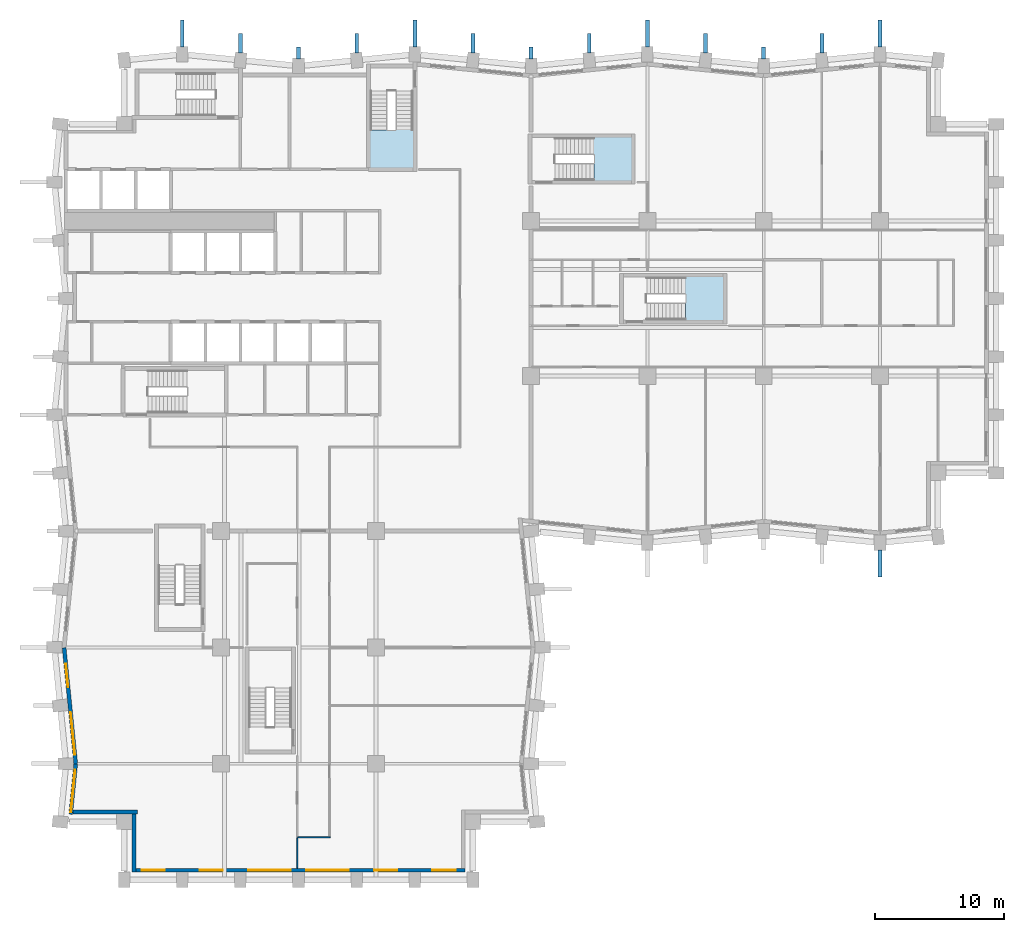
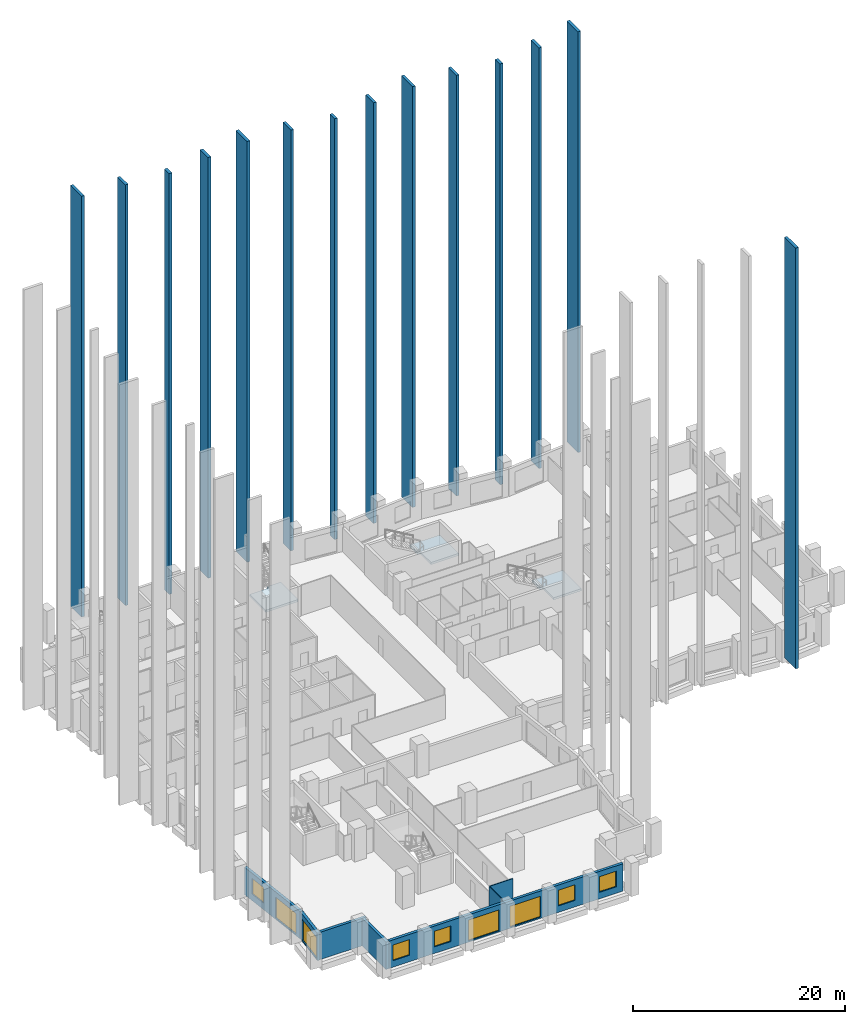
# One storey, part 3 of 12: 14 plates, 9 windows, 7 walls, 3 slabs, 9 openings, 3 elements without a shape of their own.
"""IFC4 building model written with IfcOpenShell, lengths in metres."""

from ifc_helpers import new_model, si_unit, direction, frame, frame_2d, origin, place, context, subcontext, project, spatial, polyline, rectangle, outline, extrude, material, layer, layer_set, type_object, element, fill, aggregate, save


model = new_model("IFC4")

# Units and contexts
model_context = context("Model", 3, precision=1e-05, world=origin(), true_north=direction((0.0, 1.0)))
body_context = subcontext(model_context, "Body", "Model", "MODEL_VIEW")
ifc_project = project(units=[si_unit("LENGTHUNIT", "METRE"), si_unit("AREAUNIT", "SQUARE_METRE"), si_unit("VOLUMEUNIT", "CUBIC_METRE"), si_unit("PLANEANGLEUNIT", "RADIAN"), si_unit("MASSUNIT", "GRAM", prefix="KILO")], contexts=[model_context])

# Site, building, storey
site_placement = place(None, origin())
site = spatial("IfcSite", under=ifc_project, at=site_placement, CompositionType="ELEMENT")
building_placement = place(site_placement, origin())
building = spatial("IfcBuilding", under=site, at=building_placement, Name="Brondeck Convention Tower", CompositionType="ELEMENT")
storey_placement = place(building_placement, frame((0.0, 0.0, 88.5)))
storey = spatial("IfcBuildingStorey", under=building, at=storey_placement, Name="L20", CompositionType="ELEMENT", Elevation=88.5)

# Stair, slab
ifc_material_1 = material(Name="Precast concrete C50/60", Category="concrete")
stair_type = type_object("IfcStairType", Name="Core stair 22 risers 172.73 mm riser 300 mm going 1350 wide", PredefinedType="HALF_TURN_STAIR", material=ifc_material_1)
stair_1_placement = place(storey_placement, origin())
stair_1 = element("IfcStair", 1, at=stair_1_placement, inside=storey, type_object=stair_type, Name="ST-2 L20 stair", PredefinedType="HALF_TURN_STAIR")
ifc_layer_1 = layer(ifc_material_1, 0.25)
ifc_layer_set_1 = layer_set([ifc_layer_1], Name="Core stair landing 250 Precast concrete C50/60")
slab_type = type_object("IfcSlabType", Name="Core stair landing 250 Precast concrete C50/60", PredefinedType="LANDING", material=ifc_layer_set_1)
slab_1_placement = place(storey_placement, frame((0.0, 0.0, 1.64990234375)))
slab_1 = element("IfcSlab", 2, at=slab_1_placement, type_object=slab_type, Name="ST-2 landing 1", PredefinedType="LANDING", context=body_context, shape_type="SweptSolid", body=[
    extrude(outline(polyline([(23.429931640625, 58.052001953125), (24.89990234375, 58.052001953125), (24.89990234375, 58.050048828125), (25.5, 58.050048828125), (25.5, 58.35009765625), (26.969970703125, 58.35009765625), (26.969970703125, 55.030029296875), (23.429931640625, 55.030029296875), (23.429931640625, 58.052001953125)])), origin(), (0.0, 0.0, 1.0), 0.25),
])
aggregate(stair_1, [slab_1])

stair_2_placement = place(storey_placement, origin())
stair_2 = element("IfcStair", 3, at=stair_2_placement, inside=storey, type_object=stair_type, Name="ST-AE L20 stair", PredefinedType="HALF_TURN_STAIR")
slab_2_placement = place(storey_placement, frame((0.0, 0.0, 1.64990234375)))
slab_2 = element("IfcSlab", 4, at=slab_2_placement, type_object=slab_type, Name="ST-AE landing 1", PredefinedType="LANDING", context=body_context, shape_type="SweptSolid", body=[
    extrude(outline(polyline([(40.847900390625, 55.5), (40.85009765625, 55.5), (40.85009765625, 56.10009765625), (40.550048828125, 56.10009765625), (40.550048828125, 57.570068359375), (43.8701171875, 57.570068359375), (43.8701171875, 54.030029296875), (40.847900390625, 54.030029296875), (40.847900390625, 55.5)])), origin(), (0.0, 0.0, 1.0), 0.25),
])
aggregate(stair_2, [slab_2])

stair_3_placement = place(storey_placement, origin())
stair_3 = element("IfcStair", 5, at=stair_3_placement, inside=storey, type_object=stair_type, Name="ST-AF L20 stair", PredefinedType="HALF_TURN_STAIR")
slab_3_placement = place(storey_placement, frame((0.0, 0.0, 1.64990234375)))
slab_3 = element("IfcSlab", 6, at=slab_3_placement, type_object=slab_type, Name="ST-AF landing 1", PredefinedType="LANDING", context=body_context, shape_type="SweptSolid", body=[
    extrude(outline(polyline([(47.947998046875, 44.699951171875), (47.949951171875, 44.699951171875), (47.949951171875, 45.300048828125), (47.64990234375, 45.300048828125), (47.64990234375, 46.77001953125), (50.969970703125, 46.77001953125), (50.969970703125, 43.22998046875), (47.947998046875, 43.22998046875), (47.947998046875, 44.699951171875)])), origin(), (0.0, 0.0, 1.0), 0.25),
])
aggregate(stair_3, [slab_3])

# Plates
ifc_layer_2 = layer(ifc_material_1, 0.300048828125)
ifc_layer_set_2 = layer_set([ifc_layer_2], Name="Facade fin FN1 300 x 900 Precast concrete C50/60")
plate_type_1 = type_object("IfcPlateType", Name="Facade fin FN1 300 x 900 Precast concrete C50/60", PredefinedType="USERDEFINED", material=ifc_layer_set_2)
plate_1_placement = place(storey_placement, frame((0.0, 0.0, 0.5)))
element("IfcPlate", 7, at=plate_1_placement, inside=storey, type_object=plate_type_1, Name="ENV-FN-A-N-Z2-04", ObjectType="FIN", PredefinedType="USERDEFINED", context=body_context, shape_type="SweptSolid", body=[
    extrude(outline(polyline([(17.85009765625, 64.4599609375), (17.85009765625, 63.56005859375), (18.14990234375, 63.56005859375), (18.14990234375, 64.4599609375), (17.85009765625, 64.4599609375)])), origin(), (0.0, 0.0, 1.0), 48.39990234375),
])
plate_2_placement = place(storey_placement, frame((0.0, 0.0, 0.5)))
element("IfcPlate", 8, at=plate_2_placement, inside=storey, type_object=plate_type_1, Name="ENV-FN-A-N-Z2-08", ObjectType="FIN", PredefinedType="USERDEFINED", context=body_context, shape_type="SweptSolid", body=[
    extrude(outline(polyline([(35.85009765625, 64.4599609375), (35.85009765625, 63.56005859375), (36.14990234375, 63.56005859375), (36.14990234375, 64.4599609375), (35.85009765625, 64.4599609375)])), origin(), (0.0, 0.0, 1.0), 48.39990234375),
])
plate_3_placement = place(storey_placement, frame((0.0, 0.0, 0.5)))
element("IfcPlate", 9, at=plate_3_placement, inside=storey, type_object=plate_type_1, Name="ENV-FN-A-N-Z2-12", ObjectType="FIN", PredefinedType="USERDEFINED", context=body_context, shape_type="SweptSolid", body=[
    extrude(outline(polyline([(53.85009765625, 64.4599609375), (53.85009765625, 63.56005859375), (54.14990234375, 63.56005859375), (54.14990234375, 64.4599609375), (53.85009765625, 64.4599609375)])), origin(), (0.0, 0.0, 1.0), 48.39990234375),
])
ifc_layer_3 = layer(ifc_material_1, 0.300048828125)
ifc_layer_set_3 = layer_set([ifc_layer_3], Name="Facade fin FN2 300 x 1500 Precast concrete C50/60")
plate_type_2 = type_object("IfcPlateType", Name="Facade fin FN2 300 x 1500 Precast concrete C50/60", PredefinedType="USERDEFINED", material=ifc_layer_set_3)
plate_4_placement = place(storey_placement, frame((0.0, 0.0, 0.5)))
element("IfcPlate", 10, at=plate_4_placement, inside=storey, type_object=plate_type_2, Name="ENV-FN-A-N-Z2-03", ObjectType="FIN", PredefinedType="USERDEFINED", context=body_context, shape_type="SweptSolid", body=[
    extrude(outline(polyline([(13.35009765625, 65.510009765625), (13.35009765625, 64.010009765625), (13.64990234375, 64.010009765625), (13.64990234375, 65.510009765625), (13.35009765625, 65.510009765625)])), origin(), (0.0, 0.0, 1.0), 48.39990234375),
])
plate_5_placement = place(storey_placement, frame((0.0, 0.0, 0.5)))
element("IfcPlate", 11, at=plate_5_placement, inside=storey, type_object=plate_type_2, Name="ENV-FN-A-N-Z2-05", ObjectType="FIN", PredefinedType="USERDEFINED", context=body_context, shape_type="SweptSolid", body=[
    extrude(outline(polyline([(22.35009765625, 65.510009765625), (22.35009765625, 64.010009765625), (22.64990234375, 64.010009765625), (22.64990234375, 65.510009765625), (22.35009765625, 65.510009765625)])), origin(), (0.0, 0.0, 1.0), 48.39990234375),
])
plate_6_placement = place(storey_placement, frame((0.0, 0.0, 0.5)))
element("IfcPlate", 12, at=plate_6_placement, inside=storey, type_object=plate_type_2, Name="ENV-FN-A-N-Z2-07", ObjectType="FIN", PredefinedType="USERDEFINED", context=body_context, shape_type="SweptSolid", body=[
    extrude(outline(polyline([(31.35009765625, 65.510009765625), (31.35009765625, 64.010009765625), (31.64990234375, 64.010009765625), (31.64990234375, 65.510009765625), (31.35009765625, 65.510009765625)])), origin(), (0.0, 0.0, 1.0), 48.39990234375),
])
plate_7_placement = place(storey_placement, frame((0.0, 0.0, 0.5)))
element("IfcPlate", 13, at=plate_7_placement, inside=storey, type_object=plate_type_2, Name="ENV-FN-A-N-Z2-09", ObjectType="FIN", PredefinedType="USERDEFINED", context=body_context, shape_type="SweptSolid", body=[
    extrude(outline(polyline([(40.35009765625, 65.510009765625), (40.35009765625, 64.010009765625), (40.64990234375, 64.010009765625), (40.64990234375, 65.510009765625), (40.35009765625, 65.510009765625)])), origin(), (0.0, 0.0, 1.0), 48.39990234375),
])
plate_8_placement = place(storey_placement, frame((0.0, 0.0, 0.5)))
element("IfcPlate", 14, at=plate_8_placement, inside=storey, type_object=plate_type_2, Name="ENV-FN-A-N-Z2-11", ObjectType="FIN", PredefinedType="USERDEFINED", context=body_context, shape_type="SweptSolid", body=[
    extrude(outline(polyline([(49.35009765625, 65.510009765625), (49.35009765625, 64.010009765625), (49.64990234375, 64.010009765625), (49.64990234375, 65.510009765625), (49.35009765625, 65.510009765625)])), origin(), (0.0, 0.0, 1.0), 48.39990234375),
])
plate_9_placement = place(storey_placement, frame((0.0, 0.0, 0.5)))
element("IfcPlate", 15, at=plate_9_placement, inside=storey, type_object=plate_type_2, Name="ENV-FN-A-N-Z2-13", ObjectType="FIN", PredefinedType="USERDEFINED", context=body_context, shape_type="SweptSolid", body=[
    extrude(outline(polyline([(58.35009765625, 65.510009765625), (58.35009765625, 64.010009765625), (58.64990234375, 64.010009765625), (58.64990234375, 65.510009765625), (58.35009765625, 65.510009765625)])), origin(), (0.0, 0.0, 1.0), 48.39990234375),
])
ifc_layer_4 = layer(ifc_material_1, 0.300048828125)
ifc_layer_set_4 = layer_set([ifc_layer_4], Name="Facade fin FN3 300 x 2100 Precast concrete C50/60")
plate_type_3 = type_object("IfcPlateType", Name="Facade fin FN3 300 x 2100 Precast concrete C50/60", PredefinedType="USERDEFINED", material=ifc_layer_set_4)
plate_10_placement = place(storey_placement, frame((0.0, 0.0, 0.5)))
element("IfcPlate", 16, at=plate_10_placement, inside=storey, type_object=plate_type_3, Name="ENV-FN-A-S-Z2-06", ObjectType="FIN", PredefinedType="USERDEFINED", context=body_context, shape_type="SweptSolid", body=[
    extrude(outline(polyline([(63.14990234375, 23.43994140625), (63.14990234375, 25.5400390625), (62.85009765625, 25.5400390625), (62.85009765625, 23.43994140625), (63.14990234375, 23.43994140625)])), origin(), (0.0, 0.0, 1.0), 48.39990234375),
])
plate_11_placement = place(storey_placement, frame((0.0, 0.0, 0.5)))
element("IfcPlate", 17, at=plate_11_placement, inside=storey, type_object=plate_type_3, Name="ENV-FN-A-N-Z2-02", ObjectType="FIN", PredefinedType="USERDEFINED", context=body_context, shape_type="SweptSolid", body=[
    extrude(outline(polyline([(8.85009765625, 66.56005859375), (8.85009765625, 64.4599609375), (9.14990234375, 64.4599609375), (9.14990234375, 66.56005859375), (8.85009765625, 66.56005859375)])), origin(), (0.0, 0.0, 1.0), 48.39990234375),
])
plate_12_placement = place(storey_placement, frame((0.0, 0.0, 0.5)))
element("IfcPlate", 18, at=plate_12_placement, inside=storey, type_object=plate_type_3, Name="ENV-FN-A-N-Z2-06", ObjectType="FIN", PredefinedType="USERDEFINED", context=body_context, shape_type="SweptSolid", body=[
    extrude(outline(polyline([(26.85009765625, 66.56005859375), (26.85009765625, 64.4599609375), (27.14990234375, 64.4599609375), (27.14990234375, 66.56005859375), (26.85009765625, 66.56005859375)])), origin(), (0.0, 0.0, 1.0), 48.39990234375),
])
plate_13_placement = place(storey_placement, frame((0.0, 0.0, 0.5)))
element("IfcPlate", 19, at=plate_13_placement, inside=storey, type_object=plate_type_3, Name="ENV-FN-A-N-Z2-10", ObjectType="FIN", PredefinedType="USERDEFINED", context=body_context, shape_type="SweptSolid", body=[
    extrude(outline(polyline([(44.85009765625, 66.56005859375), (44.85009765625, 64.4599609375), (45.14990234375, 64.4599609375), (45.14990234375, 66.56005859375), (44.85009765625, 66.56005859375)])), origin(), (0.0, 0.0, 1.0), 48.39990234375),
])
plate_14_placement = place(storey_placement, frame((0.0, 0.0, 0.5)))
element("IfcPlate", 20, at=plate_14_placement, inside=storey, type_object=plate_type_3, Name="ENV-FN-A-N-Z2-14", ObjectType="FIN", PredefinedType="USERDEFINED", context=body_context, shape_type="SweptSolid", body=[
    extrude(outline(polyline([(62.85009765625, 66.56005859375), (62.85009765625, 64.4599609375), (63.14990234375, 64.4599609375), (63.14990234375, 66.56005859375), (62.85009765625, 66.56005859375)])), origin(), (0.0, 0.0, 1.0), 48.39990234375),
])

# Wall, openings, windows
ifc_material_2 = material(Name="Precast concrete C50/60 bronze finish", Category="concrete")
ifc_layer_5 = layer(ifc_material_2, 0.070068359375, Name="Bronze precast facing")
ifc_material_3 = material(Name="Mineral wool")
ifc_layer_6 = layer(ifc_material_3, 0.159912109375, Name="Insulation")
ifc_material_4 = material(Name="Concrete C35/45", Category="concrete")
ifc_layer_7 = layer(ifc_material_4, 0.070068359375, Name="Backing")
ifc_layer_set_5 = layer_set([ifc_layer_5, ifc_layer_6, ifc_layer_7], Name="External infill wall, precast concrete C50/60 bronze facing")
wall_type_1 = type_object("IfcWallType", Name="External infill wall, precast concrete C50/60 bronze facing", PredefinedType="SOLIDWALL", material=ifc_layer_set_5)
wall_1_placement = place(storey_placement, frame((30.89990234375, 0.75, 0.0), z_axis=(0.0, 0.0, 1.0), x_axis=(-1.0, 0.0, 0.0)))
wall_1 = element("IfcWall", 21, at=wall_1_placement, inside=storey, type_object=wall_type_1, Name="ENV-EW-L20-P0-B-S0-01", PredefinedType="SOLIDWALL", context=body_context, shape_type="SweptSolid", body=[
    extrude(rectangle(XDim=25.5, YDim=0.300048828125, at=frame_2d((12.75, 0.0))), origin(), (0.0, 0.0, 1.0), 3.14990234375),
])
opening_1_placement = place(wall_1_placement, frame((0.75, 0.0, 0.75)))
opening_1 = element("IfcOpeningElement", 22, at=opening_1_placement, cuts=wall_1, Name="Opening W10", PredefinedType="OPENING", context=body_context, shape_type="SweptSolid", body=[
    extrude(rectangle(XDim=1.800048828125, YDim=1.800048828125, at=frame_2d((0.89990234375, 0.89990234375))), frame((0.0, 0.159912109375, 0.0), z_axis=(0.0, -1.0, 0.0), x_axis=(1.0, 0.0, 0.0)), (0.0, 0.0, 1.0), 0.320068359375),
])
opening_2_placement = place(wall_1_placement, frame((5.25, 0.0, 0.75)))
opening_2 = element("IfcOpeningElement", 23, at=opening_2_placement, cuts=wall_1, Name="Opening W10", PredefinedType="OPENING", context=body_context, shape_type="SweptSolid", body=[
    extrude(rectangle(XDim=1.800048828125, YDim=1.800048828125, at=frame_2d((0.89990234375, 0.89990234375))), frame((0.0, 0.159912109375, 0.0), z_axis=(0.0, -1.0, 0.0), x_axis=(1.0, 0.0, 0.0)), (0.0, 0.0, 1.0), 0.320068359375),
])
opening_3_placement = place(wall_1_placement, frame((9.0, 0.0, 0.14990234375)))
opening_3 = element("IfcOpeningElement", 24, at=opening_3_placement, cuts=wall_1, Name="Opening W9", PredefinedType="OPENING", context=body_context, shape_type="SweptSolid", body=[
    extrude(rectangle(XDim=3.300048828125, YDim=2.39990234375, at=frame_2d((1.64990234375, 1.199951171875))), frame((0.0, 0.159912109375, 0.0), z_axis=(0.0, -1.0, 0.0), x_axis=(1.0, 0.0, 0.0)), (0.0, 0.0, 1.0), 0.320068359375),
])
opening_4_placement = place(wall_1_placement, frame((13.5, 0.0, 0.14990234375)))
opening_4 = element("IfcOpeningElement", 25, at=opening_4_placement, cuts=wall_1, Name="Opening W9", PredefinedType="OPENING", context=body_context, shape_type="SweptSolid", body=[
    extrude(rectangle(XDim=3.300048828125, YDim=2.39990234375, at=frame_2d((1.64990234375, 1.199951171875))), frame((0.0, 0.159912109375, 0.0), z_axis=(0.0, -1.0, 0.0), x_axis=(1.0, 0.0, 0.0)), (0.0, 0.0, 1.0), 0.320068359375),
])
opening_5_placement = place(wall_1_placement, frame((18.75, 0.0, 0.75)))
opening_5 = element("IfcOpeningElement", 26, at=opening_5_placement, cuts=wall_1, Name="Opening W10", PredefinedType="OPENING", context=body_context, shape_type="SweptSolid", body=[
    extrude(rectangle(XDim=1.800048828125, YDim=1.800048828125, at=frame_2d((0.89990234375, 0.89990234375))), frame((0.0, 0.159912109375, 0.0), z_axis=(0.0, -1.0, 0.0), x_axis=(1.0, 0.0, 0.0)), (0.0, 0.0, 1.0), 0.320068359375),
])
opening_6_placement = place(wall_1_placement, frame((23.25, 0.0, 0.75)))
opening_6 = element("IfcOpeningElement", 27, at=opening_6_placement, cuts=wall_1, Name="Opening W10", PredefinedType="OPENING", context=body_context, shape_type="SweptSolid", body=[
    extrude(rectangle(XDim=1.800048828125, YDim=1.800048828125, at=frame_2d((0.89990234375, 0.89990234375))), frame((0.0, 0.159912109375, 0.0), z_axis=(0.0, -1.0, 0.0), x_axis=(1.0, 0.0, 0.0)), (0.0, 0.0, 1.0), 0.320068359375),
])
ifc_material_5 = material(Name="Bronze tinted double glazing", Category="glass")
window_type_1 = type_object("IfcWindowType", Name="Glazed flute window, bronze tinted", PartitioningType="SINGLE_PANEL", PredefinedType="WINDOW", material=ifc_material_5)
window_1_placement = place(opening_3_placement, origin())
window_1 = element("IfcWindow", 28, at=window_1_placement, inside=storey, type_object=window_type_1, Name="ENV-WN-L20-P0-B-S0-04", OverallHeight=2.39990234375, OverallWidth=3.300048828125, PartitioningType="SINGLE_PANEL", PredefinedType="WINDOW", context=body_context, shape_type="SweptSolid", body=[
    extrude(rectangle(XDim=3.300048828125, YDim=2.39990234375, at=frame_2d((1.64990234375, 1.199951171875))), frame((0.0, 0.030029296875, 0.0), z_axis=(0.0, -1.0, 0.0), x_axis=(1.0, 0.0, 0.0)), (0.0, 0.0, 1.0), 0.06005859375),
])
fill(opening_3, window_1)
window_2_placement = place(opening_4_placement, origin())
window_2 = element("IfcWindow", 29, at=window_2_placement, inside=storey, type_object=window_type_1, Name="ENV-WN-L20-P0-B-S0-03", OverallHeight=2.39990234375, OverallWidth=3.300048828125, PartitioningType="SINGLE_PANEL", PredefinedType="WINDOW", context=body_context, shape_type="SweptSolid", body=[
    extrude(rectangle(XDim=3.300048828125, YDim=2.39990234375, at=frame_2d((1.64990234375, 1.199951171875))), frame((0.0, 0.030029296875, 0.0), z_axis=(0.0, -1.0, 0.0), x_axis=(1.0, 0.0, 0.0)), (0.0, 0.0, 1.0), 0.06005859375),
])
fill(opening_4, window_2)
window_type_2 = type_object("IfcWindowType", Name="Punched window, bronze tinted", PartitioningType="SINGLE_PANEL", PredefinedType="WINDOW", material=ifc_material_5)
window_3_placement = place(opening_1_placement, origin())
window_3 = element("IfcWindow", 30, at=window_3_placement, inside=storey, type_object=window_type_2, Name="ENV-WN-L20-P0-B-S0-06", OverallHeight=1.800048828125, OverallWidth=1.800048828125, PartitioningType="SINGLE_PANEL", PredefinedType="WINDOW", context=body_context, shape_type="SweptSolid", body=[
    extrude(rectangle(XDim=1.800048828125, YDim=1.800048828125, at=frame_2d((0.89990234375, 0.89990234375))), frame((0.0, 0.030029296875, 0.0), z_axis=(0.0, -1.0, 0.0), x_axis=(1.0, 0.0, 0.0)), (0.0, 0.0, 1.0), 0.06005859375),
])
fill(opening_1, window_3)
window_4_placement = place(opening_2_placement, origin())
window_4 = element("IfcWindow", 31, at=window_4_placement, inside=storey, type_object=window_type_2, Name="ENV-WN-L20-P0-B-S0-05", OverallHeight=1.800048828125, OverallWidth=1.800048828125, PartitioningType="SINGLE_PANEL", PredefinedType="WINDOW", context=body_context, shape_type="SweptSolid", body=[
    extrude(rectangle(XDim=1.800048828125, YDim=1.800048828125, at=frame_2d((0.89990234375, 0.89990234375))), frame((0.0, 0.030029296875, 0.0), z_axis=(0.0, -1.0, 0.0), x_axis=(1.0, 0.0, 0.0)), (0.0, 0.0, 1.0), 0.06005859375),
])
fill(opening_2, window_4)
window_5_placement = place(opening_5_placement, origin())
window_5 = element("IfcWindow", 32, at=window_5_placement, inside=storey, type_object=window_type_2, Name="ENV-WN-L20-P0-B-S0-02", OverallHeight=1.800048828125, OverallWidth=1.800048828125, PartitioningType="SINGLE_PANEL", PredefinedType="WINDOW", context=body_context, shape_type="SweptSolid", body=[
    extrude(rectangle(XDim=1.800048828125, YDim=1.800048828125, at=frame_2d((0.89990234375, 0.89990234375))), frame((0.0, 0.030029296875, 0.0), z_axis=(0.0, -1.0, 0.0), x_axis=(1.0, 0.0, 0.0)), (0.0, 0.0, 1.0), 0.06005859375),
])
fill(opening_5, window_5)
window_6_placement = place(opening_6_placement, origin())
window_6 = element("IfcWindow", 33, at=window_6_placement, inside=storey, type_object=window_type_2, Name="ENV-WN-L20-P0-B-S0-01", OverallHeight=1.800048828125, OverallWidth=1.800048828125, PartitioningType="SINGLE_PANEL", PredefinedType="WINDOW", context=body_context, shape_type="SweptSolid", body=[
    extrude(rectangle(XDim=1.800048828125, YDim=1.800048828125, at=frame_2d((0.89990234375, 0.89990234375))), frame((0.0, 0.030029296875, 0.0), z_axis=(0.0, -1.0, 0.0), x_axis=(1.0, 0.0, 0.0)), (0.0, 0.0, 1.0), 0.06005859375),
])
fill(opening_6, window_6)

wall_2_placement = place(storey_placement, frame((0.755126953125, 8.985107421875, 0.0), z_axis=(0.0, 0.0, 1.0), x_axis=(-0.099495688264, 0.995037993253, 0.0)))
wall_2 = element("IfcWall", 34, at=wall_2_placement, inside=storey, type_object=wall_type_1, Name="ENV-EW-L20-P0-B-W-10", PredefinedType="SOLIDWALL", context=body_context, shape_type="SweptSolid", body=[
    extrude(rectangle(XDim=9.030029296875, YDim=0.300048828125, at=frame_2d((4.51513671875, 0.0))), origin(), (0.0, 0.0, 1.0), 3.14990234375),
])
opening_7_placement = place(wall_2_placement, frame((0.701171875, 0.0, 0.14990234375)))
opening_7 = element("IfcOpeningElement", 35, at=opening_7_placement, cuts=wall_2, Name="Opening W9", PredefinedType="OPENING", context=body_context, shape_type="SweptSolid", body=[
    extrude(rectangle(XDim=3.300048828125, YDim=2.39990234375, at=frame_2d((1.64990234375, 1.199951171875))), frame((0.0, 0.159912109375, 0.0), z_axis=(0.0, -1.0, 0.0), x_axis=(1.0, 0.0, 0.0)), (0.0, 0.0, 1.0), 0.320068359375),
])
opening_8_placement = place(wall_2_placement, frame((5.9736328125, 0.0, 0.75)))
opening_8 = element("IfcOpeningElement", 36, at=opening_8_placement, cuts=wall_2, Name="Opening W10", PredefinedType="OPENING", context=body_context, shape_type="SweptSolid", body=[
    extrude(rectangle(XDim=1.800048828125, YDim=1.800048828125, at=frame_2d((0.89990234375, 0.89990234375))), frame((0.0, 0.159912109375, 0.0), z_axis=(0.0, -1.0, 0.0), x_axis=(1.0, 0.0, 0.0)), (0.0, 0.0, 1.0), 0.320068359375),
])
window_7_placement = place(opening_7_placement, origin())
window_7 = element("IfcWindow", 37, at=window_7_placement, inside=storey, type_object=window_type_1, Name="ENV-WN-L20-P0-B-W-11", OverallHeight=2.39990234375, OverallWidth=3.300048828125, PartitioningType="SINGLE_PANEL", PredefinedType="WINDOW", context=body_context, shape_type="SweptSolid", body=[
    extrude(rectangle(XDim=3.300048828125, YDim=2.39990234375, at=frame_2d((1.64990234375, 1.199951171875))), frame((0.0, 0.030029296875, 0.0), z_axis=(0.0, -1.0, 0.0), x_axis=(1.0, 0.0, 0.0)), (0.0, 0.0, 1.0), 0.06005859375),
])
fill(opening_7, window_7)
window_8_placement = place(opening_8_placement, origin())
window_8 = element("IfcWindow", 38, at=window_8_placement, inside=storey, type_object=window_type_2, Name="ENV-WN-L20-P0-B-W-10", OverallHeight=1.800048828125, OverallWidth=1.800048828125, PartitioningType="SINGLE_PANEL", PredefinedType="WINDOW", context=body_context, shape_type="SweptSolid", body=[
    extrude(rectangle(XDim=1.800048828125, YDim=1.800048828125, at=frame_2d((0.89990234375, 0.89990234375))), frame((0.0, 0.030029296875, 0.0), z_axis=(0.0, -1.0, 0.0), x_axis=(1.0, 0.0, 0.0)), (0.0, 0.0, 1.0), 0.06005859375),
])
fill(opening_8, window_8)

# Wall, opening, window
wall_3_placement = place(storey_placement, frame((0.3623046875, 5.085205078125, 0.0), z_axis=(0.0, 0.0, 1.0), x_axis=(0.099485145752, 0.995039047362, 0.0)))
wall_3 = element("IfcWall", 39, at=wall_3_placement, inside=storey, type_object=wall_type_1, Name="ENV-EW-L20-P0-B-W-12", PredefinedType="SOLIDWALL", context=body_context, shape_type="SweptSolid", body=[
    extrude(rectangle(XDim=3.904296875, YDim=0.300048828125, at=frame_2d((1.9521484375, 0.0))), origin(), (0.0, 0.0, 1.0), 3.14990234375),
])
opening_9_placement = place(wall_3_placement, frame((0.14990234375, 0.0, 0.14990234375)))
opening_9 = element("IfcOpeningElement", 40, at=opening_9_placement, cuts=wall_3, Name="Opening W9", PredefinedType="OPENING", context=body_context, shape_type="SweptSolid", body=[
    extrude(rectangle(XDim=3.300048828125, YDim=2.39990234375, at=frame_2d((1.64990234375, 1.199951171875))), frame((0.0, 0.159912109375, 0.0), z_axis=(0.0, -1.0, 0.0), x_axis=(1.0, 0.0, 0.0)), (0.0, 0.0, 1.0), 0.320068359375),
])
window_9_placement = place(opening_9_placement, origin())
window_9 = element("IfcWindow", 41, at=window_9_placement, inside=storey, type_object=window_type_1, Name="ENV-WN-L20-P0-B-W-12", OverallHeight=2.39990234375, OverallWidth=3.300048828125, PartitioningType="SINGLE_PANEL", PredefinedType="WINDOW", context=body_context, shape_type="SweptSolid", body=[
    extrude(rectangle(XDim=3.300048828125, YDim=2.39990234375, at=frame_2d((1.64990234375, 1.199951171875))), frame((0.0, 0.030029296875, 0.0), z_axis=(0.0, -1.0, 0.0), x_axis=(1.0, 0.0, 0.0)), (0.0, 0.0, 1.0), 0.06005859375),
])
fill(opening_9, window_9)

# Walls
wall_4_placement = place(storey_placement, frame((5.550048828125, 5.25, 0.0), z_axis=(0.0, 0.0, 1.0), x_axis=(-1.0, 0.0, 0.0)))
element("IfcWall", 42, at=wall_4_placement, inside=storey, type_object=wall_type_1, Name="ENV-EW-L20-P0-NC-SWB0-01", PredefinedType="SOLIDWALL", context=body_context, shape_type="SweptSolid", body=[
    extrude(rectangle(XDim=5.015380859375, YDim=0.300048828125, at=frame_2d((2.5078125, 0.0))), origin(), (0.0, 0.0, 1.0), 3.14990234375),
])
wall_5_placement = place(storey_placement, frame((5.25, 0.60009765625, 0.0), z_axis=(0.0, 0.0, 1.0), x_axis=(0.0, 1.0, 0.0)))
element("IfcWall", 43, at=wall_5_placement, inside=storey, type_object=wall_type_1, Name="ENV-EW-L20-P0-NC-SWB0-02", PredefinedType="SOLIDWALL", context=body_context, shape_type="SweptSolid", body=[
    extrude(rectangle(XDim=4.5, YDim=0.300048828125, at=frame_2d((2.25, 0.0))), origin(), (0.0, 0.0, 1.0), 3.14990234375),
])
ifc_material_6 = material(Name="Gypsum board partition on steel studs", Category="steel")
ifc_layer_8 = layer(ifc_material_6, 0.10009765625)
ifc_layer_set_6 = layer_set([ifc_layer_8], Name="Room partition 100")
wall_type_2 = type_object("IfcWallType", Name="Room partition 100", PredefinedType="PARTITIONING", material=ifc_layer_set_6)
wall_6_placement = place(storey_placement, frame((17.89990234375, 0.919921875, 0.0), z_axis=(0.0, 0.0, 1.0), x_axis=(0.0, 1.0, 0.0)))
element("IfcWall", 44, at=wall_6_placement, inside=storey, type_object=wall_type_2, Name="FLR-L20-W001", PredefinedType="PARTITIONING", context=body_context, shape_type="SweptSolid", body=[
    extrude(rectangle(XDim=2.330078125, YDim=0.10009765625, at=frame_2d((1.1650390625, 0.0))), origin(), (0.0, 0.0, 1.0), 3.47998046875),
])
wall_7_placement = place(storey_placement, frame((20.449951171875, 3.300048828125, 0.0), z_axis=(0.0, 0.0, 1.0), x_axis=(-1.0, 0.0, 0.0)))
element("IfcWall", 45, at=wall_7_placement, inside=storey, type_object=wall_type_2, Name="FLR-L20-W002", PredefinedType="PARTITIONING", context=body_context, shape_type="SweptSolid", body=[
    extrude(rectangle(XDim=2.5, YDim=0.10009765625, at=frame_2d((1.25, 0.0))), origin(), (0.0, 0.0, 1.0), 3.47998046875),
])

save(model, "model.ifc")
